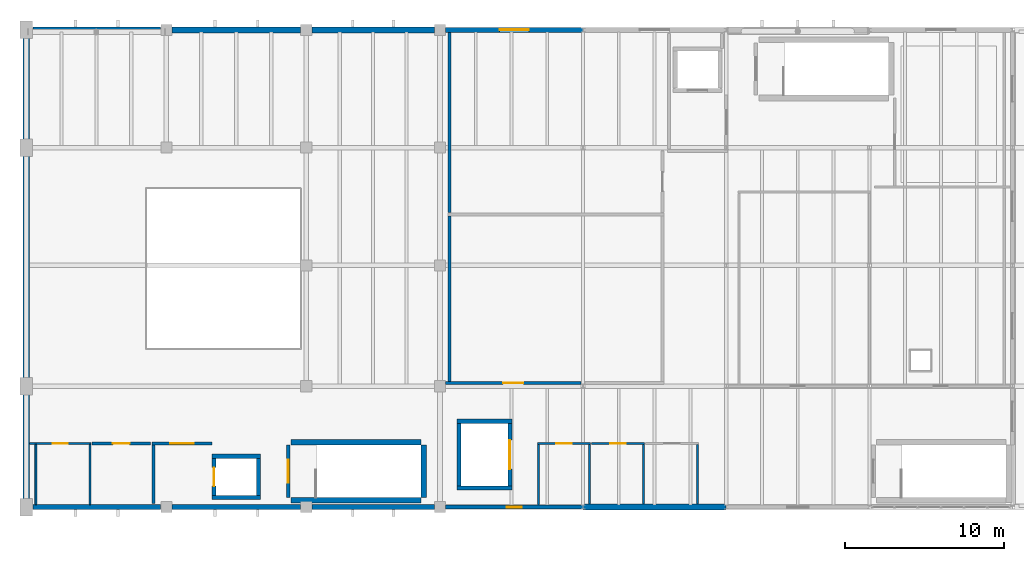
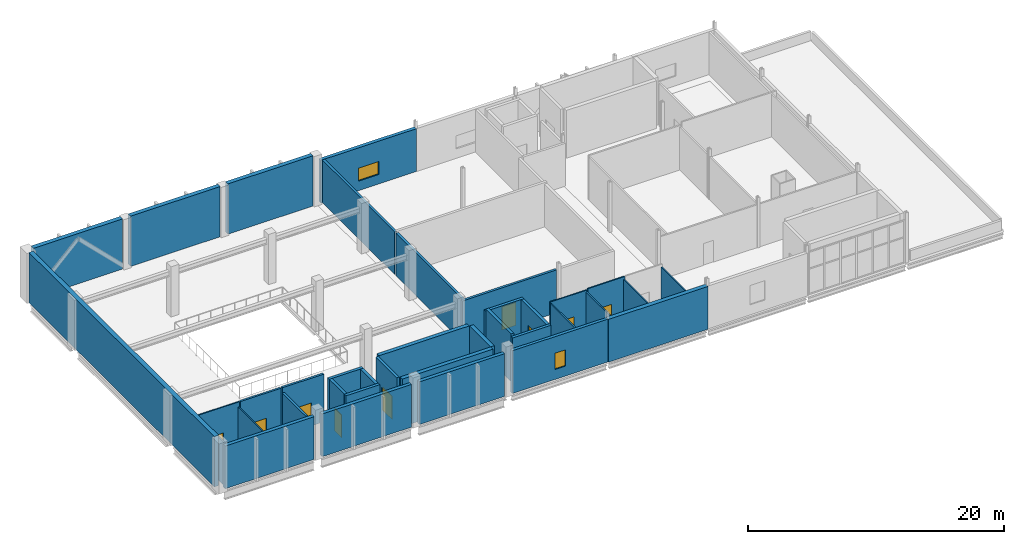
# One storey, part 11 of 14: 37 walls, 9 doors, 2 windows, 11 openings.
"""IFC4 building model written with IfcOpenShell, lengths in metres."""

from ifc_helpers import new_model, si_unit, direction, frame, frame_2d, origin, place, context, subcontext, project, spatial, rectangle, extrude, material, layer, layer_set, type_object, element, fill, save


model = new_model("IFC4")

# Units and contexts
model_context = context("Model", 3, precision=1e-05, world=origin(), true_north=direction((0.0, 1.0)))
body_context = subcontext(model_context, "Body", "Model", "MODEL_VIEW")
ifc_project = project(units=[si_unit("LENGTHUNIT", "METRE"), si_unit("AREAUNIT", "SQUARE_METRE"), si_unit("VOLUMEUNIT", "CUBIC_METRE"), si_unit("PLANEANGLEUNIT", "RADIAN"), si_unit("MASSUNIT", "GRAM", prefix="KILO")], contexts=[model_context])

# Site, building, storey
site_placement = place(None, origin())
site = spatial("IfcSite", under=ifc_project, at=site_placement, CompositionType="ELEMENT")
building_placement = place(site_placement, origin())
building = spatial("IfcBuilding", under=site, at=building_placement, Name="Shengluoqiao Park Theatre", CompositionType="ELEMENT")
storey_placement = place(building_placement, frame((0.0, 0.0, 23.800048828125)))
storey = spatial("IfcBuildingStorey", under=building, at=storey_placement, Name="L05", CompositionType="ELEMENT", Elevation=23.800048828125)

# Wall, opening, window
ifc_material_1 = material(Name="Concrete C40", Category="concrete")
ifc_layer_1 = layer(ifc_material_1, 0.27001953125, Name="Concrete C40")
ifc_layer_set_1 = layer_set([ifc_layer_1], Name="Concrete C40")
wall_type_1 = type_object("IfcWallType", Name="ENV-WL-CONC270", PredefinedType="STANDARD", material=ifc_layer_set_1)
wall_1_placement = place(storey_placement, frame((112.75390625, 84.0, 0.0), z_axis=(0.0, 0.0, 1.0), x_axis=(1.0, 0.0, 0.0)))
wall_1 = element("IfcWall", 1, at=wall_1_placement, inside=storey, type_object=wall_type_1, Name="L05 Exterior Wall 0268", PredefinedType="STANDARD", context=body_context, shape_type="SweptSolid", body=[
    extrude(rectangle(XDim=8.635986328125, YDim=0.27001953125, at=frame_2d((4.31787109375, 0.0))), origin(), (0.0, 0.0, 1.0), 4.087890625),
])
opening_1_placement = place(wall_1_placement, frame((3.843017578125, 0.0, 0.949951171875)))
opening_1 = element("IfcOpeningElement", 2, at=opening_1_placement, cuts=wall_1, Name="Opening W-08", PredefinedType="OPENING", context=body_context, shape_type="SweptSolid", body=[
    extrude(rectangle(XDim=0.949951171875, YDim=1.550048828125, at=frame_2d((0.47509765625, 0.77490234375))), frame((0.0, 0.14501953125, 0.0), z_axis=(0.0, -1.0, 0.0), x_axis=(1.0, 0.0, 0.0)), (0.0, 0.0, 1.0), 0.2900390625),
])
ifc_material_2 = material(Name="Insulated glass", Category="glass")
window_type_1 = type_object("IfcWindowType", Name="ENV-WIN-W08", PartitioningType="SINGLE_PANEL", PredefinedType="WINDOW", material=ifc_material_2)
window_1_placement = place(opening_1_placement, origin())
window_1 = element("IfcWindow", 3, at=window_1_placement, inside=storey, type_object=window_type_1, Name="L05 Acoustic Window 0107", OverallHeight=1.550048828125, OverallWidth=0.949951171875, PartitioningType="SINGLE_PANEL", PredefinedType="WINDOW", context=body_context, shape_type="SweptSolid", body=[
    extrude(rectangle(XDim=0.949951171875, YDim=1.550048828125, at=frame_2d((0.47509765625, 0.77490234375))), frame((0.0, 0.030029296875, 0.0), z_axis=(0.0, -1.0, 0.0), x_axis=(1.0, 0.0, 0.0)), (0.0, 0.0, 1.0), 0.06005859375),
])
fill(opening_1, window_1)

# Walls
ifc_layer_2 = layer(ifc_material_1, 0.31005859375, Name="Concrete C40")
ifc_layer_set_2 = layer_set([ifc_layer_2], Name="Concrete C40")
wall_type_2 = type_object("IfcWallType", Name="ENV-WL-CONC310", PredefinedType="STANDARD", material=ifc_layer_set_2)
wall_2_placement = place(storey_placement, frame((86.803955078125, 84.0, 0.0), z_axis=(0.0, 0.0, 1.0), x_axis=(1.0, 0.0, 0.0)))
element("IfcWall", 4, at=wall_2_placement, inside=storey, type_object=wall_type_2, Name="L05 Exterior Wall 0086", PredefinedType="STANDARD", context=body_context, shape_type="SweptSolid", body=[
    extrude(rectangle(XDim=8.0419921875, YDim=0.31005859375, at=frame_2d((4.02099609375, 0.0))), origin(), (0.0, 0.0, 1.0), 4.077880859375),
])
wall_3_placement = place(storey_placement, frame((95.553955078125, 84.0, 0.0), z_axis=(0.0, 0.0, 1.0), x_axis=(1.0, 0.0, 0.0)))
element("IfcWall", 5, at=wall_3_placement, inside=storey, type_object=wall_type_2, Name="L05 Exterior Wall 0087", PredefinedType="STANDARD", context=body_context, shape_type="SweptSolid", body=[
    extrude(rectangle(XDim=8.092041015625, YDim=0.31005859375, at=frame_2d((4.0458984375, 0.0))), origin(), (0.0, 0.0, 1.0), 4.077880859375),
])
wall_4_placement = place(storey_placement, frame((104.35400390625, 84.0, 0.0), z_axis=(0.0, 0.0, 1.0), x_axis=(1.0, 0.0, 0.0)))
element("IfcWall", 6, at=wall_4_placement, inside=storey, type_object=wall_type_2, Name="L05 Exterior Wall 0088", PredefinedType="STANDARD", context=body_context, shape_type="SweptSolid", body=[
    extrude(rectangle(XDim=7.69189453125, YDim=0.31005859375, at=frame_2d((3.845947265625, 0.0))), origin(), (0.0, 0.0, 1.0), 4.077880859375),
])

# Wall, opening, window
wall_5_placement = place(storey_placement, frame((112.75390625, 114.0, 0.0), z_axis=(0.0, 0.0, 1.0), x_axis=(1.0, 0.0, 0.0)))
wall_5 = element("IfcWall", 7, at=wall_5_placement, inside=storey, type_object=wall_type_2, Name="L05 Exterior Wall 0264", PredefinedType="STANDARD", context=body_context, shape_type="SweptSolid", body=[
    extrude(rectangle(XDim=8.635986328125, YDim=0.31005859375, at=frame_2d((4.31787109375, 0.0))), origin(), (0.0, 0.0, 1.0), 4.087890625),
])
opening_2_placement = place(wall_5_placement, frame((3.39306640625, 0.0, 0.89990234375)))
opening_2 = element("IfcOpeningElement", 8, at=opening_2_placement, cuts=wall_5, Name="Opening W-11", PredefinedType="OPENING", context=body_context, shape_type="SweptSolid", body=[
    extrude(rectangle(XDim=1.85009765625, YDim=1.25, at=frame_2d((0.925048828125, 0.625))), frame((0.0, 0.1650390625, 0.0), z_axis=(0.0, -1.0, 0.0), x_axis=(1.0, 0.0, 0.0)), (0.0, 0.0, 1.0), 0.330078125),
])
window_type_2 = type_object("IfcWindowType", Name="ENV-WIN-W11", PartitioningType="DOUBLE_PANEL_HORIZONTAL", PredefinedType="WINDOW", material=ifc_material_2)
window_2_placement = place(opening_2_placement, origin())
window_2 = element("IfcWindow", 9, at=window_2_placement, inside=storey, type_object=window_type_2, Name="L05 Acoustic Window 0104", OverallHeight=1.25, OverallWidth=1.85009765625, PartitioningType="DOUBLE_PANEL_HORIZONTAL", PredefinedType="WINDOW", context=body_context, shape_type="SweptSolid", body=[
    extrude(rectangle(XDim=1.85009765625, YDim=1.25, at=frame_2d((0.925048828125, 0.625))), frame((0.0, 0.030029296875, 0.0), z_axis=(0.0, -1.0, 0.0), x_axis=(1.0, 0.0, 0.0)), (0.0, 0.0, 1.0), 0.06005859375),
])
fill(opening_2, window_2)

# Walls
ifc_material_3 = material(Name="Concrete C45", Category="concrete")
ifc_layer_3 = layer(ifc_material_3, 0.3798828125, Name="Concrete C45")
ifc_layer_set_3 = layer_set([ifc_layer_3], Name="Concrete C45")
wall_type_3 = type_object("IfcWallType", Name="ENV-WL-CONC380", PredefinedType="STANDARD", material=ifc_layer_set_3)
wall_6_placement = place(storey_placement, frame((86.803955078125, 114.0, 0.0), z_axis=(0.0, 0.0, 1.0), x_axis=(1.0, 0.0, 0.0)))
element("IfcWall", 10, at=wall_6_placement, inside=storey, type_object=wall_type_3, Name="L05 Exterior Wall 0083", PredefinedType="STANDARD", context=body_context, shape_type="SweptSolid", body=[
    extrude(rectangle(XDim=8.0419921875, YDim=0.3798828125, at=frame_2d((4.02099609375, 0.0))), origin(), (0.0, 0.0, 1.0), 4.800048828125),
])
wall_7_placement = place(storey_placement, frame((95.553955078125, 114.0, 0.0), z_axis=(0.0, 0.0, 1.0), x_axis=(1.0, 0.0, 0.0)))
element("IfcWall", 11, at=wall_7_placement, inside=storey, type_object=wall_type_3, Name="L05 Exterior Wall 0084", PredefinedType="STANDARD", context=body_context, shape_type="SweptSolid", body=[
    extrude(rectangle(XDim=8.092041015625, YDim=0.3798828125, at=frame_2d((4.0458984375, 0.0))), origin(), (0.0, 0.0, 1.0), 4.800048828125),
])
wall_8_placement = place(storey_placement, frame((104.35400390625, 114.0, 0.0), z_axis=(0.0, 0.0, 1.0), x_axis=(1.0, 0.0, 0.0)))
element("IfcWall", 12, at=wall_8_placement, inside=storey, type_object=wall_type_3, Name="L05 Exterior Wall 0085", PredefinedType="STANDARD", context=body_context, shape_type="SweptSolid", body=[
    extrude(rectangle(XDim=7.69189453125, YDim=0.3798828125, at=frame_2d((3.845947265625, 0.0))), origin(), (0.0, 0.0, 1.0), 4.800048828125),
])
wall_9_placement = place(storey_placement, frame((121.409912109375, 84.0, 0.0), z_axis=(0.0, 0.0, 1.0), x_axis=(1.0, 0.0, 0.0)))
element("IfcWall", 13, at=wall_9_placement, inside=storey, type_object=wall_type_3, Name="L05 Exterior Wall 0269", PredefinedType="STANDARD", context=body_context, shape_type="SweptSolid", body=[
    extrude(rectangle(XDim=8.97998046875, YDim=0.3798828125, at=frame_2d((4.489990234375, 0.0))), origin(), (0.0, 0.0, 1.0), 4.087890625),
])

# Wall, opening, door
ifc_material_4 = material(Name="Concrete blockwork B06", Category="masonry")
ifc_layer_4 = layer(ifc_material_4, 0.2099609375, Name="Concrete blockwork B06")
ifc_layer_set_4 = layer_set([ifc_layer_4], Name="Concrete blockwork B06")
wall_type_4 = type_object("IfcWallType", Name="INT-WL-CMP210", PredefinedType="PARTITIONING", material=ifc_layer_set_4)
wall_10_placement = place(storey_placement, frame((112.758056640625, 91.800048828125, 0.0), z_axis=(0.0, 0.0, 1.0), x_axis=(1.0, 0.0, 0.0)))
wall_10 = element("IfcWall", 14, at=wall_10_placement, inside=storey, type_object=wall_type_4, Name="Repertory Costume and Prop Archive Partition S", PredefinedType="PARTITIONING", context=body_context, shape_type="SweptSolid", body=[
    extrude(rectangle(XDim=8.510986328125, YDim=0.2099609375, at=frame_2d((4.25537109375, 0.0))), origin(), (0.0, 0.0, 1.0), 4.087890625),
])
opening_3_placement = place(wall_10_placement, frame((3.615478515625, 0.0, 0.0)))
opening_3 = element("IfcOpeningElement", 15, at=opening_3_placement, cuts=wall_10, Name="Opening D-L05-108", PredefinedType="OPENING", context=body_context, shape_type="SweptSolid", body=[
    extrude(rectangle(XDim=1.280029296875, YDim=2.219970703125, at=frame_2d((0.64013671875, 1.10986328125))), frame((0.0, 0.114990234375, 0.0), z_axis=(0.0, -1.0, 0.0), x_axis=(1.0, 0.0, 0.0)), (0.0, 0.0, 1.0), 0.22998046875),
])
ifc_material_5 = material(Name="Steel Q355", Category="steel")
door_type_1 = type_object("IfcDoorType", Name="INT-DR-ARC128", OperationType="NOTDEFINED", PredefinedType="DOOR", material=ifc_material_5)
door_1_placement = place(opening_3_placement, origin())
door_1 = element("IfcDoor", 16, at=door_1_placement, inside=storey, type_object=door_type_1, Name="Repertory Costume and Prop Archive Door D-L05-108", OperationType="SINGLE_SWING_LEFT", OverallHeight=2.219970703125, OverallWidth=1.280029296875, PredefinedType="DOOR", context=body_context, shape_type="SweptSolid", body=[
    extrude(rectangle(XDim=1.280029296875, YDim=2.219970703125, at=frame_2d((0.64013671875, 1.10986328125))), frame((0.0, 0.02490234375, 0.0), z_axis=(0.0, -1.0, 0.0), x_axis=(1.0, 0.0, 0.0)), (0.0, 0.0, 1.0), 0.050048828125),
])
fill(opening_3, door_1)

# Walls
wall_11_placement = place(storey_placement, frame((113.0, 91.910888671875, 0.0), z_axis=(0.0, 0.0, 1.0), x_axis=(0.0, 1.0, 0.0)))
element("IfcWall", 17, at=wall_11_placement, inside=storey, type_object=wall_type_4, Name="Repertory Costume and Prop Archive Partition W", PredefinedType="PARTITIONING", context=body_context, shape_type="SweptSolid", body=[
    extrude(rectangle(XDim=10.378173828125, YDim=0.2099609375, at=frame_2d((5.18896484375, 0.0))), origin(), (0.0, 0.0, 1.0), 4.087890625),
])
wall_12_placement = place(storey_placement, frame((113.0, 102.512939453125, 0.0), z_axis=(0.0, 0.0, 1.0), x_axis=(0.0, 1.0, 0.0)))
element("IfcWall", 18, at=wall_12_placement, inside=storey, type_object=wall_type_4, Name="Acoustic Displacement Ventilation Plant Room Partition W", PredefinedType="PARTITIONING", context=body_context, shape_type="SweptSolid", body=[
    extrude(rectangle(XDim=11.323974609375, YDim=0.2099609375, at=frame_2d((5.662109375, 0.0))), origin(), (0.0, 0.0, 1.0), 4.087890625),
])

# Wall, opening, door
ifc_material_6 = material(Name="Gypsum acoustic stud", Category="gypsum")
ifc_layer_5 = layer(ifc_material_6, 0.175048828125, Name="Gypsum acoustic stud")
ifc_layer_set_5 = layer_set([ifc_layer_5], Name="Gypsum acoustic stud")
wall_type_5 = type_object("IfcWallType", Name="INT-WL-COR175", PredefinedType="PARTITIONING", material=ifc_layer_set_5)
wall_13_placement = place(storey_placement, frame((90.534912109375, 88.0, 0.0), z_axis=(0.0, 0.0, 1.0), x_axis=(1.0, 0.0, 0.0)))
wall_13 = element("IfcWall", 19, at=wall_13_placement, inside=storey, type_object=wall_type_5, Name="Stage Winch Control and Rigging Studio Partition N", PredefinedType="PARTITIONING", context=body_context, shape_type="SweptSolid", body=[
    extrude(rectangle(XDim=3.657470703125, YDim=0.175048828125, at=frame_2d((1.82861328125, 0.0))), origin(), (0.0, 0.0, 1.0), 4.56005859375),
])
opening_4_placement = place(wall_13_placement, frame((1.298583984375, 0.0, 0.0)))
opening_4 = element("IfcOpeningElement", 20, at=opening_4_placement, cuts=wall_13, Name="Opening D-L05-105", PredefinedType="OPENING", context=body_context, shape_type="SweptSolid", body=[
    extrude(rectangle(XDim=1.06005859375, YDim=2.14990234375, at=frame_2d((0.530029296875, 1.074951171875))), frame((0.0, 0.097412109375, 0.0), z_axis=(0.0, -1.0, 0.0), x_axis=(1.0, 0.0, 0.0)), (0.0, 0.0, 1.0), 0.195068359375),
])
ifc_material_7 = material(Name="Acoustic timber", Category="wood")
door_type_2 = type_object("IfcDoorType", Name="INT-DR-SNG106", OperationType="NOTDEFINED", PredefinedType="DOOR", material=ifc_material_7)
door_2_placement = place(opening_4_placement, origin())
door_2 = element("IfcDoor", 21, at=door_2_placement, inside=storey, type_object=door_type_2, Name="Stage Winch Control and Rigging Studio Door D-L05-105", OperationType="SINGLE_SWING_RIGHT", OverallHeight=2.14990234375, OverallWidth=1.06005859375, PredefinedType="DOOR", context=body_context, shape_type="SweptSolid", body=[
    extrude(rectangle(XDim=1.06005859375, YDim=2.14990234375, at=frame_2d((0.530029296875, 1.074951171875))), frame((0.0, 0.02490234375, 0.0), z_axis=(0.0, -1.0, 0.0), x_axis=(1.0, 0.0, 0.0)), (0.0, 0.0, 1.0), 0.050048828125),
])
fill(opening_4, door_2)

# Wall
ifc_layer_6 = layer(ifc_material_4, 0.195068359375, Name="Concrete blockwork B06")
ifc_layer_set_6 = layer_set([ifc_layer_6], Name="Concrete blockwork B06")
wall_type_6 = type_object("IfcWallType", Name="INT-WL-FFL195", PredefinedType="PARTITIONING", material=ifc_layer_set_6)
wall_14_placement = place(storey_placement, frame((94.39990234375, 84.219970703125, 0.0), z_axis=(0.0, 0.0, 1.0), x_axis=(0.0, 1.0, 0.0)))
element("IfcWall", 22, at=wall_14_placement, inside=storey, type_object=wall_type_6, Name="L05 Firefighting Lift Lobby FF1 Fire Wall W", PredefinedType="PARTITIONING", context=body_context, shape_type="SweptSolid", body=[
    extrude(rectangle(XDim=3.675048828125, YDim=0.195068359375, at=frame_2d((1.83740234375, 0.0))), origin(), (0.0, 0.0, 1.0), 4.077880859375),
])

# Wall, opening, door
wall_15_placement = place(storey_placement, frame((94.31005859375, 88.0, 0.0), z_axis=(0.0, 0.0, 1.0), x_axis=(1.0, 0.0, 0.0)))
wall_15 = element("IfcWall", 23, at=wall_15_placement, inside=storey, type_object=wall_type_6, Name="L05 Firefighting Lift Lobby FF1 Fire Wall N", PredefinedType="PARTITIONING", context=body_context, shape_type="SweptSolid", body=[
    extrude(rectangle(XDim=3.75, YDim=0.195068359375, at=frame_2d((1.875, 0.0))), origin(), (0.0, 0.0, 1.0), 4.56005859375),
])
opening_5_placement = place(wall_15_placement, frame((1.125, 0.0, 0.0)))
opening_5 = element("IfcOpeningElement", 24, at=opening_5_placement, cuts=wall_15, Name="Opening FD-FFL-1-L05", PredefinedType="OPENING", context=body_context, shape_type="SweptSolid", body=[
    extrude(rectangle(XDim=1.5, YDim=2.199951171875, at=frame_2d((0.75, 1.10009765625))), frame((0.0, 0.107421875, 0.0), z_axis=(0.0, -1.0, 0.0), x_axis=(1.0, 0.0, 0.0)), (0.0, 0.0, 1.0), 0.215087890625),
])
door_type_3 = type_object("IfcDoorType", Name="INT-DR-FFL150", OperationType="DOUBLE_DOOR_SINGLE_SWING", PredefinedType="DOOR", material=ifc_material_5)
door_3_placement = place(opening_5_placement, origin())
door_3 = element("IfcDoor", 25, at=door_3_placement, inside=storey, type_object=door_type_3, Name="L05 Firefighting Lift Lobby FF1 Fire Door FD-FFL-1-L05", OperationType="DOUBLE_DOOR_SINGLE_SWING", OverallHeight=2.199951171875, OverallWidth=1.5, PredefinedType="DOOR", context=body_context, shape_type="SweptSolid", body=[
    extrude(rectangle(XDim=1.5, YDim=2.199951171875, at=frame_2d((0.75, 1.10009765625))), frame((0.0, 0.02490234375, 0.0), z_axis=(0.0, -1.0, 0.0), x_axis=(1.0, 0.0, 0.0)), (0.0, 0.0, 1.0), 0.050048828125),
])
fill(opening_5, door_3)

# Walls
ifc_layer_7 = layer(ifc_material_1, 0.260009765625, Name="Concrete C40")
ifc_layer_set_7 = layer_set([ifc_layer_7], Name="Concrete C40")
wall_type_7 = type_object("IfcWallType", Name="INT-WL-SHF260", PredefinedType="STANDARD", material=ifc_layer_set_7)
for number, where, z_axis, x_axis, name in (
    (26, (98.070068359375, 84.60009765625, 0.0), (0.0, 0.0, 1.0), (1.0, 0.0, 0.0), "L05 FF1 Lift Shaft Wall South"),
    (27, (98.070068359375, 87.199951171875, 0.0), (0.0, 0.0, 1.0), (1.0, 0.0, 0.0), "L05 FF1 Lift Shaft Wall North"),
):
    element("IfcWall", number, at=place(storey_placement, frame(where, z_axis=z_axis, x_axis=x_axis)), inside=storey, type_object=wall_type_7, Name=name, PredefinedType="STANDARD", context=body_context, shape_type="SweptSolid", body=[
        extrude(rectangle(XDim=3.059814453125, YDim=0.260009765625, at=frame_2d((1.52978515625, 0.0))), origin(), (0.0, 0.0, 1.0), 4.56005859375),
    ])

# Wall, opening, door
wall_16_placement = place(storey_placement, frame((98.199951171875, 84.736083984375, 0.0), z_axis=(0.0, 0.0, 1.0), x_axis=(0.0, 1.0, 0.0)))
wall_16 = element("IfcWall", 28, at=wall_16_placement, inside=storey, type_object=wall_type_7, Name="L05 FF1 Lift Shaft Wall West", PredefinedType="STANDARD", context=body_context, shape_type="SweptSolid", body=[
    extrude(rectangle(XDim=2.327880859375, YDim=0.260009765625, at=frame_2d((1.1640625, 0.0))), origin(), (0.0, 0.0, 1.0), 4.56005859375),
])
opening_6_placement = place(wall_16_placement, frame((0.589111328125, 0.0, 0.0)))
opening_6 = element("IfcOpeningElement", 29, at=opening_6_placement, cuts=wall_16, Name="Opening LD-FF1-L05", PredefinedType="OPENING", context=body_context, shape_type="SweptSolid", body=[
    extrude(rectangle(XDim=1.14990234375, YDim=2.14990234375, at=frame_2d((0.574951171875, 1.074951171875))), frame((0.0, 0.139892578125, 0.0), z_axis=(0.0, -1.0, 0.0), x_axis=(1.0, 0.0, 0.0)), (0.0, 0.0, 1.0), 0.280029296875),
])
ifc_material_8 = material(Name="Stainless steel 304", Category="steel")
door_type_4 = type_object("IfcDoorType", Name="INT-DR-LD115", OperationType="SLIDING_TO_LEFT", PredefinedType="DOOR", material=ifc_material_8)
door_4_placement = place(opening_6_placement, origin())
door_4 = element("IfcDoor", 30, at=door_4_placement, inside=storey, type_object=door_type_4, Name="FF1 Lift Landing Door LD-FF1-L05", OperationType="SLIDING_TO_LEFT", OverallHeight=2.14990234375, OverallWidth=1.14990234375, PredefinedType="DOOR", context=body_context, shape_type="SweptSolid", body=[
    extrude(rectangle(XDim=1.14990234375, YDim=2.14990234375, at=frame_2d((0.574951171875, 1.074951171875))), frame((0.0, 0.02490234375, 0.0), z_axis=(0.0, -1.0, 0.0), x_axis=(1.0, 0.0, 0.0)), (0.0, 0.0, 1.0), 0.050048828125),
])
fill(opening_6, door_4)

# Walls
wall_17_placement = place(storey_placement, frame((101.0, 84.736083984375, 0.0), z_axis=(0.0, 0.0, 1.0), x_axis=(0.0, 1.0, 0.0)))
element("IfcWall", 31, at=wall_17_placement, inside=storey, type_object=wall_type_7, Name="L05 FF1 Lift Shaft Wall East", PredefinedType="STANDARD", context=body_context, shape_type="SweptSolid", body=[
    extrude(rectangle(XDim=2.327880859375, YDim=0.260009765625, at=frame_2d((1.1640625, 0.0))), origin(), (0.0, 0.0, 1.0), 4.56005859375),
])
for number, where, z_axis, x_axis, name in (
    (32, (113.469970703125, 85.199951171875, 0.0), (0.0, 0.0, 1.0), (1.0, 0.0, 0.0), "L05 FL1 Lift Shaft Wall South"),
    (33, (113.469970703125, 89.39990234375, 0.0), (0.0, 0.0, 1.0), (1.0, 0.0, 0.0), "L05 FL1 Lift Shaft Wall North"),
):
    element("IfcWall", number, at=place(storey_placement, frame(where, z_axis=z_axis, x_axis=x_axis)), inside=storey, type_object=wall_type_7, Name=name, PredefinedType="STANDARD", context=body_context, shape_type="SweptSolid", body=[
        extrude(rectangle(XDim=3.4599609375, YDim=0.260009765625, at=frame_2d((1.72998046875, 0.0))), origin(), (0.0, 0.0, 1.0), 4.327880859375),
    ])
wall_18_placement = place(storey_placement, frame((113.60009765625, 85.3359375, 0.0), z_axis=(0.0, 0.0, 1.0), x_axis=(0.0, 1.0, 0.0)))
element("IfcWall", 34, at=wall_18_placement, inside=storey, type_object=wall_type_7, Name="L05 FL1 Lift Shaft Wall West", PredefinedType="STANDARD", context=body_context, shape_type="SweptSolid", body=[
    extrude(rectangle(XDim=3.927978515625, YDim=0.260009765625, at=frame_2d((1.9638671875, 0.0))), origin(), (0.0, 0.0, 1.0), 4.56005859375),
])

# Wall, opening, door
wall_19_placement = place(storey_placement, frame((116.800048828125, 85.3359375, 0.0), z_axis=(0.0, 0.0, 1.0), x_axis=(0.0, 1.0, 0.0)))
wall_19 = element("IfcWall", 35, at=wall_19_placement, inside=storey, type_object=wall_type_7, Name="L05 FL1 Lift Shaft Wall East", PredefinedType="STANDARD", context=body_context, shape_type="SweptSolid", body=[
    extrude(rectangle(XDim=3.927978515625, YDim=0.260009765625, at=frame_2d((1.9638671875, 0.0))), origin(), (0.0, 0.0, 1.0), 4.327880859375),
])
opening_7_placement = place(wall_19_placement, frame((1.053955078125, 0.0, 0.0)))
opening_7 = element("IfcOpeningElement", 36, at=opening_7_placement, cuts=wall_19, Name="Opening LD-FL1-L05", PredefinedType="OPENING", context=body_context, shape_type="SweptSolid", body=[
    extrude(rectangle(XDim=1.820068359375, YDim=2.5, at=frame_2d((0.91015625, 1.25))), frame((0.0, 0.139892578125, 0.0), z_axis=(0.0, -1.0, 0.0), x_axis=(1.0, 0.0, 0.0)), (0.0, 0.0, 1.0), 0.280029296875),
])
door_type_5 = type_object("IfcDoorType", Name="INT-DR-LD182", OperationType="SLIDING_TO_LEFT", PredefinedType="DOOR", material=ifc_material_8)
door_5_placement = place(opening_7_placement, origin())
door_5 = element("IfcDoor", 37, at=door_5_placement, inside=storey, type_object=door_type_5, Name="FL1 Lift Landing Door LD-FL1-L05", OperationType="SLIDING_TO_LEFT", OverallHeight=2.5, OverallWidth=1.820068359375, PredefinedType="DOOR", context=body_context, shape_type="SweptSolid", body=[
    extrude(rectangle(XDim=1.820068359375, YDim=2.5, at=frame_2d((0.91015625, 1.25))), frame((0.0, 0.02490234375, 0.0), z_axis=(0.0, -1.0, 0.0), x_axis=(1.0, 0.0, 0.0)), (0.0, 0.0, 1.0), 0.050048828125),
])
fill(opening_7, door_5)

ifc_layer_8 = layer(ifc_material_1, 0.239990234375, Name="Concrete C40")
ifc_layer_set_8 = layer_set([ifc_layer_8], Name="Concrete C40")
wall_type_8 = type_object("IfcWallType", Name="INT-WL-STW240", PredefinedType="STANDARD", material=ifc_layer_set_8)
wall_20_placement = place(storey_placement, frame((102.860107421875, 84.610107421875, 0.0), z_axis=(0.0, 0.0, 1.0), x_axis=(0.0, 1.0, 0.0)))
wall_20 = element("IfcWall", 38, at=wall_20_placement, inside=storey, type_object=wall_type_8, Name="L05 ST-05 Stairwell Fire Wall", PredefinedType="STANDARD", context=body_context, shape_type="SweptSolid", body=[
    extrude(rectangle(XDim=3.27978515625, YDim=0.239990234375, at=frame_2d((1.639892578125, 0.0))), origin(), (0.0, 0.0, 1.0), 4.56005859375),
])
opening_8_placement = place(wall_20_placement, frame((0.9150390625, 0.0, 0.0)))
opening_8 = element("IfcOpeningElement", 39, at=opening_8_placement, cuts=wall_20, Name="Opening SD-05-L05", PredefinedType="OPENING", context=body_context, shape_type="SweptSolid", body=[
    extrude(rectangle(XDim=1.449951171875, YDim=2.199951171875, at=frame_2d((0.72509765625, 1.10009765625))), frame((0.0, 0.1298828125, 0.0), z_axis=(0.0, -1.0, 0.0), x_axis=(1.0, 0.0, 0.0)), (0.0, 0.0, 1.0), 0.260009765625),
])
door_type_6 = type_object("IfcDoorType", Name="INT-DR-STW145", OperationType="DOUBLE_DOOR_SINGLE_SWING", PredefinedType="DOOR", material=ifc_material_5)
door_6_placement = place(opening_8_placement, origin())
door_6 = element("IfcDoor", 40, at=door_6_placement, inside=storey, type_object=door_type_6, Name="L05 ST-05 Escape Stair Door SD-05-L05", OperationType="DOUBLE_DOOR_SINGLE_SWING", OverallHeight=2.199951171875, OverallWidth=1.449951171875, PredefinedType="DOOR", context=body_context, shape_type="SweptSolid", body=[
    extrude(rectangle(XDim=1.449951171875, YDim=2.199951171875, at=frame_2d((0.72509765625, 1.10009765625))), frame((0.0, 0.02490234375, 0.0), z_axis=(0.0, -1.0, 0.0), x_axis=(1.0, 0.0, 0.0)), (0.0, 0.0, 1.0), 0.050048828125),
])
fill(opening_8, door_6)

ifc_material_9 = material(Name="Moisture-resistant board")
ifc_layer_9 = layer(ifc_material_9, 0.114990234375, Name="Moisture-resistant board")
ifc_layer_set_9 = layer_set([ifc_layer_9], Name="Moisture-resistant board")
wall_type_9 = type_object("IfcWallType", Name="INT-WL-WCP115", PredefinedType="PARTITIONING", material=ifc_layer_set_9)
wall_21_placement = place(storey_placement, frame((118.54248046875, 88.0, 0.0), z_axis=(0.0, 0.0, 1.0), x_axis=(1.0, 0.0, 0.0)))
wall_21 = element("IfcWall", 41, at=wall_21_placement, inside=storey, type_object=wall_type_9, Name="Fifth Floor Accessible WC Partition N", PredefinedType="PARTITIONING", context=body_context, shape_type="SweptSolid", body=[
    extrude(rectangle(XDim=3.31494140625, YDim=0.114990234375, at=frame_2d((1.657470703125, 0.0))), origin(), (0.0, 0.0, 1.0), 4.23388671875),
])
opening_9_placement = place(wall_21_placement, frame((1.177490234375, 0.0, 0.0)))
opening_9 = element("IfcOpeningElement", 42, at=opening_9_placement, cuts=wall_21, Name="Opening D-L05-101", PredefinedType="OPENING", context=body_context, shape_type="SweptSolid", body=[
    extrude(rectangle(XDim=0.9599609375, YDim=2.080078125, at=frame_2d((0.47998046875, 1.0400390625))), frame((0.0, 0.0673828125, 0.0), z_axis=(0.0, -1.0, 0.0), x_axis=(1.0, 0.0, 0.0)), (0.0, 0.0, 1.0), 0.135009765625),
])
ifc_material_10 = material(Name="Moisture-resistant laminate")
door_type_7 = type_object("IfcDoorType", Name="INT-DR-ACC096", OperationType="NOTDEFINED", PredefinedType="DOOR", material=ifc_material_10)
door_7_placement = place(opening_9_placement, origin())
door_7 = element("IfcDoor", 43, at=door_7_placement, inside=storey, type_object=door_type_7, Name="Fifth Floor Accessible WC Door D-L05-101", OperationType="SINGLE_SWING_RIGHT", OverallHeight=2.080078125, OverallWidth=0.9599609375, PredefinedType="DOOR", context=body_context, shape_type="SweptSolid", body=[
    extrude(rectangle(XDim=0.9599609375, YDim=2.080078125, at=frame_2d((0.47998046875, 1.0400390625))), frame((0.0, 0.02490234375, 0.0), z_axis=(0.0, -1.0, 0.0), x_axis=(1.0, 0.0, 0.0)), (0.0, 0.0, 1.0), 0.050048828125),
])
fill(opening_9, door_7)

# Walls
wall_22_placement = place(storey_placement, frame((121.800048828125, 84.197998046875, 0.0), z_axis=(0.0, 0.0, 1.0), x_axis=(0.0, 1.0, 0.0)))
element("IfcWall", 44, at=wall_22_placement, inside=storey, type_object=wall_type_9, Name="Fifth Floor Accessible WC Partition E", PredefinedType="PARTITIONING", context=body_context, shape_type="SweptSolid", body=[
    extrude(rectangle(XDim=3.738525390625, YDim=0.114990234375, at=frame_2d((1.869140625, 0.0))), origin(), (0.0, 0.0, 1.0), 4.087890625),
])
wall_23_placement = place(storey_placement, frame((118.60009765625, 84.14306640625, 0.0), z_axis=(0.0, 0.0, 1.0), x_axis=(0.0, 1.0, 0.0)))
element("IfcWall", 45, at=wall_23_placement, inside=storey, type_object=wall_type_9, Name="Fifth Floor Accessible WC Partition W", PredefinedType="PARTITIONING", context=body_context, shape_type="SweptSolid", body=[
    extrude(rectangle(XDim=3.79345703125, YDim=0.114990234375, at=frame_2d((1.896728515625, 0.0))), origin(), (0.0, 0.0, 1.0), 4.087890625),
])

# Wall, opening, door
wall_24_placement = place(storey_placement, frame((121.93505859375, 88.0, 0.0), z_axis=(0.0, 0.0, 1.0), x_axis=(1.0, 0.0, 0.0)))
wall_24 = element("IfcWall", 46, at=wall_24_placement, inside=storey, type_object=wall_type_9, Name="Fifth Floor Staff Male WC Partition N", PredefinedType="PARTITIONING", context=body_context, shape_type="SweptSolid", body=[
    extrude(rectangle(XDim=3.322509765625, YDim=0.114990234375, at=frame_2d((1.6611328125, 0.0))), origin(), (0.0, 0.0, 1.0), 4.327880859375),
])
opening_10_placement = place(wall_24_placement, frame((1.18115234375, 0.0, 0.0)))
opening_10 = element("IfcOpeningElement", 47, at=opening_10_placement, cuts=wall_24, Name="Opening D-L05-102", PredefinedType="OPENING", context=body_context, shape_type="SweptSolid", body=[
    extrude(rectangle(XDim=0.9599609375, YDim=2.080078125, at=frame_2d((0.47998046875, 1.0400390625))), frame((0.0, 0.0673828125, 0.0), z_axis=(0.0, -1.0, 0.0), x_axis=(1.0, 0.0, 0.0)), (0.0, 0.0, 1.0), 0.135009765625),
])
door_8_placement = place(opening_10_placement, origin())
door_8 = element("IfcDoor", 48, at=door_8_placement, inside=storey, type_object=door_type_7, Name="Fifth Floor Staff Male WC Door D-L05-102", OperationType="SINGLE_SWING_LEFT", OverallHeight=2.080078125, OverallWidth=0.9599609375, PredefinedType="DOOR", context=body_context, shape_type="SweptSolid", body=[
    extrude(rectangle(XDim=0.9599609375, YDim=2.080078125, at=frame_2d((0.47998046875, 1.0400390625))), frame((0.0, 0.02490234375, 0.0), z_axis=(0.0, -1.0, 0.0), x_axis=(1.0, 0.0, 0.0)), (0.0, 0.0, 1.0), 0.050048828125),
])
fill(opening_10, door_8)

# Walls
for number, where, z_axis, x_axis, name in (
    (49, (125.199951171875, 84.197998046875, 0.0), (0.0, 0.0, 1.0), (0.0, 1.0, 0.0), "Fifth Floor Staff Male WC Partition E"),
    (50, (128.60009765625, 84.197998046875, 0.0), (0.0, 0.0, 1.0), (0.0, 1.0, 0.0), "Fifth Floor Staff Female WC Partition E"),
):
    element("IfcWall", number, at=place(storey_placement, frame(where, z_axis=z_axis, x_axis=x_axis)), inside=storey, type_object=wall_type_9, Name=name, PredefinedType="PARTITIONING", context=body_context, shape_type="SweptSolid", body=[
        extrude(rectangle(XDim=3.738525390625, YDim=0.114990234375, at=frame_2d((1.869140625, 0.0))), origin(), (0.0, 0.0, 1.0), 4.087890625),
    ])

# Wall, opening, door
wall_25_placement = place(storey_placement, frame((86.60791015625, 88.0, 0.0), z_axis=(0.0, 0.0, 1.0), x_axis=(1.0, 0.0, 0.0)))
wall_25 = element("IfcWall", 51, at=wall_25_placement, inside=storey, type_object=wall_type_9, Name="Stage Riggers Staff WC Partition N", PredefinedType="PARTITIONING", context=body_context, shape_type="SweptSolid", body=[
    extrude(rectangle(XDim=3.849609375, YDim=0.114990234375, at=frame_2d((1.9248046875, 0.0))), origin(), (0.0, 0.0, 1.0), 4.56005859375),
])
opening_11_placement = place(wall_25_placement, frame((1.444580078125, 0.0, 0.0)))
opening_11 = element("IfcOpeningElement", 52, at=opening_11_placement, cuts=wall_25, Name="Opening D-L05-104", PredefinedType="OPENING", context=body_context, shape_type="SweptSolid", body=[
    extrude(rectangle(XDim=0.9599609375, YDim=2.080078125, at=frame_2d((0.47998046875, 1.0400390625))), frame((0.0, 0.0673828125, 0.0), z_axis=(0.0, -1.0, 0.0), x_axis=(1.0, 0.0, 0.0)), (0.0, 0.0, 1.0), 0.135009765625),
])
door_9_placement = place(opening_11_placement, origin())
door_9 = element("IfcDoor", 53, at=door_9_placement, inside=storey, type_object=door_type_7, Name="Stage Riggers Staff WC Door D-L05-104", OperationType="SINGLE_SWING_LEFT", OverallHeight=2.080078125, OverallWidth=0.9599609375, PredefinedType="DOOR", context=body_context, shape_type="SweptSolid", body=[
    extrude(rectangle(XDim=0.9599609375, YDim=2.080078125, at=frame_2d((0.47998046875, 1.0400390625))), frame((0.0, 0.02490234375, 0.0), z_axis=(0.0, -1.0, 0.0), x_axis=(1.0, 0.0, 0.0)), (0.0, 0.0, 1.0), 0.050048828125),
])
fill(opening_11, door_9)

# Walls
for number, where, z_axis, x_axis, name in (
    (54, (87.0, 84.1630859375, 0.0), (0.0, 0.0, 1.0), (0.0, 1.0, 0.0), "Stage Riggers Staff WC Partition W"),
    (55, (90.39990234375, 84.1630859375, 0.0), (0.0, 0.0, 1.0), (0.0, 1.0, 0.0), "Stage Riggers Staff WC Partition E"),
):
    element("IfcWall", number, at=place(storey_placement, frame(where, z_axis=z_axis, x_axis=x_axis)), inside=storey, type_object=wall_type_9, Name=name, PredefinedType="PARTITIONING", context=body_context, shape_type="SweptSolid", body=[
        extrude(rectangle(XDim=3.7734375, YDim=0.114990234375, at=frame_2d((1.88671875, 0.0))), origin(), (0.0, 0.0, 1.0), 4.077880859375),
    ])
ifc_material_11 = material(Name="Concrete C50", Category="concrete")
ifc_layer_10 = layer(ifc_material_11, 0.35009765625, Name="Concrete C50")
ifc_layer_set_10 = layer_set([ifc_layer_10], Name="Concrete C50")
wall_type_10 = type_object("IfcWallType", Name="STR-SW-CORE350", PredefinedType="SHEAR", material=ifc_layer_set_10)
wall_26_placement = place(storey_placement, frame((103.050048828125, 84.419921875, 0.0), z_axis=(0.0, 0.0, 1.0), x_axis=(1.0, 0.0, 0.0)))
element("IfcWall", 56, at=wall_26_placement, inside=storey, type_object=wall_type_10, Name="L05 ST-05 Core Left Shear Wall 0103", PredefinedType="SHEAR", context=body_context, shape_type="SweptSolid", body=[
    extrude(rectangle(XDim=8.14990234375, YDim=0.35009765625, at=frame_2d((4.074951171875, 0.0))), origin(), (0.0, 0.0, 1.0), 4.56005859375),
])
wall_27_placement = place(storey_placement, frame((111.3798828125, 84.60009765625, 0.0), z_axis=(0.0, 0.0, 1.0), x_axis=(0.0, 1.0, 0.0)))
element("IfcWall", 57, at=wall_27_placement, inside=storey, type_object=wall_type_10, Name="L05 ST-05 Core Far Shear Wall 0104", PredefinedType="SHEAR", context=body_context, shape_type="SweptSolid", body=[
    extrude(rectangle(XDim=3.2998046875, YDim=0.35009765625, at=frame_2d((1.64990234375, 0.0))), origin(), (0.0, 0.0, 1.0), 4.56005859375),
])
wall_28_placement = place(storey_placement, frame((111.199951171875, 88.080078125, 0.0), z_axis=(0.0, 0.0, 1.0), x_axis=(-1.0, 0.0, 0.0)))
element("IfcWall", 58, at=wall_28_placement, inside=storey, type_object=wall_type_10, Name="L05 ST-05 Core Right Shear Wall 0105", PredefinedType="SHEAR", context=body_context, shape_type="SweptSolid", body=[
    extrude(rectangle(XDim=8.14990234375, YDim=0.35009765625, at=frame_2d((4.074951171875, 0.0))), origin(), (0.0, 0.0, 1.0), 4.56005859375),
])
ifc_layer_11 = layer(ifc_material_11, 0.39990234375, Name="Concrete C50")
ifc_layer_set_11 = layer_set([ifc_layer_11], Name="Concrete C50")
wall_type_11 = type_object("IfcWallType", Name="STR-SW-PROSC400", PredefinedType="SHEAR", material=ifc_layer_set_11)
wall_29_placement = place(storey_placement, frame((86.39990234375, 84.5, 0.0), z_axis=(0.0, 0.0, 1.0), x_axis=(0.0, 1.0, 0.0)))
element("IfcWall", 59, at=wall_29_placement, inside=storey, type_object=wall_type_11, Name="L05 Proscenium Fire Wall 0024", PredefinedType="SHEAR", context=body_context, shape_type="SweptSolid", body=[
    extrude(rectangle(XDim=29.0, YDim=0.39990234375, at=frame_2d((14.5, 0.0))), origin(), (0.0, 0.0, 1.0), 4.800048828125),
])

save(model, "model.ifc")
